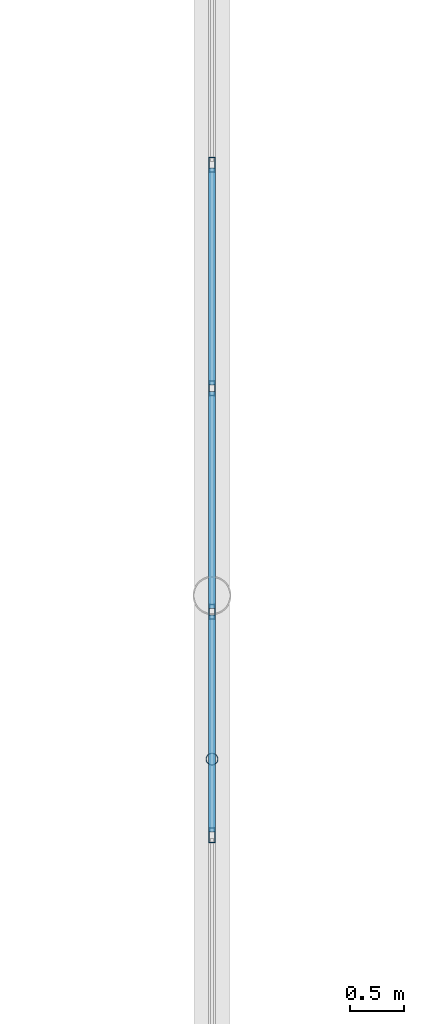
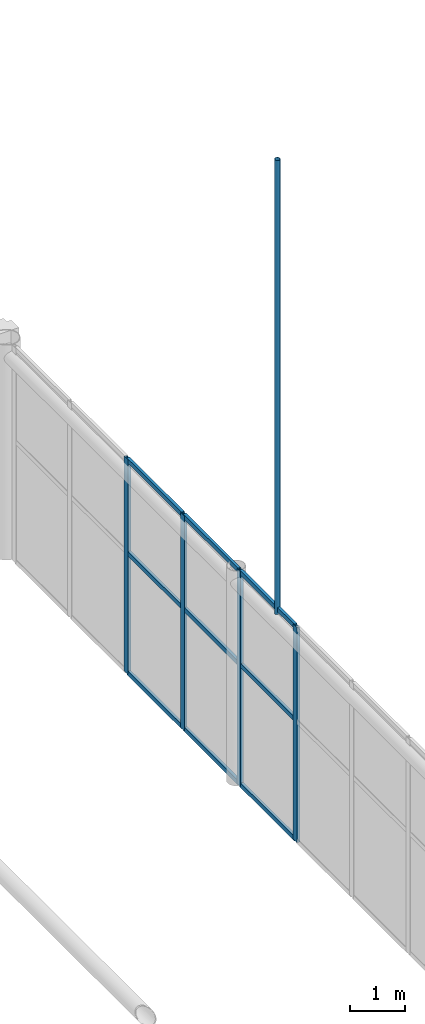
# One storey, part 115 of 167: 14 members, 1 element without a shape of its own.
"""IFC4 building model written with IfcOpenShell, lengths in metres."""

from ifc_helpers import new_model, si_unit, direction, frame, origin, origin_2d, place, context, subcontext, project, spatial, hollow_rectangle, hollow_circle, extrude, material, material_profile, profile_set, type_object, element, aggregate, save


model = new_model("IFC4")

# Units and contexts
model_context = context("Model", 3, precision=1e-05, world=origin(), true_north=direction((0.0, 1.0)))
body_context = subcontext(model_context, "Body", "Model", "MODEL_VIEW")
ifc_project = project(units=[si_unit("LENGTHUNIT", "METRE"), si_unit("AREAUNIT", "SQUARE_METRE"), si_unit("VOLUMEUNIT", "CUBIC_METRE"), si_unit("PLANEANGLEUNIT", "RADIAN"), si_unit("MASSUNIT", "GRAM", prefix="KILO")], contexts=[model_context])

# Site, building, storey
site_placement = place(None, origin())
site = spatial("IfcSite", under=ifc_project, at=site_placement, CompositionType="ELEMENT")
building_placement = place(site_placement, origin())
building = spatial("IfcBuilding", under=site, at=building_placement, Name="Catenary Quay Ferry Terminal", CompositionType="ELEMENT")
storey_placement = place(building_placement, frame((0.0, 0.0, 6.0)))
storey = spatial("IfcBuildingStorey", under=building, at=storey_placement, Name="L01", CompositionType="ELEMENT", Elevation=6.0)

# Member
ifc_material_1 = material(Name="Steel S355", Category="steel")
ifc_material_profile_1 = material_profile(ifc_material_1, hollow_circle(Radius=0.05712890625, WallThickness=0.00634765625, at=origin_2d()), Name="CHS 114.3x6.3")
ifc_profile_set_1 = profile_set([ifc_material_profile_1], Name="Steel S355")
member_type_1 = type_object("IfcMemberType", Name="HG1 CHS 114.3x6.3", PredefinedType="POST", material=ifc_profile_set_1)
member_1_placement = place(storey_placement, frame((92.39990234375, 132.889892578125, 4.654052734375), z_axis=(0.0, 0.0, 1.0), x_axis=(1.0, 0.0, 0.0)))
element("IfcMember", 1, at=member_1_placement, inside=storey, type_object=member_type_1, Name="Hanger VD-09-08", PredefinedType="POST", context=body_context, shape_type="SweptSolid", body=[
    extrude(hollow_circle(Radius=0.05712890625, WallThickness=0.00634765625, at=origin_2d()), origin(), (0.0, 0.0, 1.0), 10.137939453125),
])

# Curtain wall, members
ifc_material_2 = material(Name="Aluminium and glass", Category="aluminium")
curtain_wall_type = type_object("IfcCurtainWallType", Name="CWG", PredefinedType="NOTDEFINED", material=ifc_material_2)
curtain_wall_placement = place(storey_placement, origin())
curtain_wall = element("IfcCurtainWall", 2, at=curtain_wall_placement, inside=storey, type_object=curtain_wall_type, Name="Gable departure hall curtain wall CW20", PredefinedType="NOTDEFINED")
ifc_material_3 = material(Name="Aluminium", Category="aluminium")
ifc_material_profile_2 = material_profile(ifc_material_3, hollow_rectangle(XDim=0.06005859375, YDim=0.139892578125, WallThickness=0.006103515625, at=origin_2d()), Name="MU2")
ifc_profile_set_2 = profile_set([ifc_material_profile_2], Name="Aluminium")
member_type_2 = type_object("IfcMemberType", Name="MU2", PredefinedType="MULLION", material=ifc_profile_set_2)
member_2_placement = place(storey_placement, frame((92.39990234375, 132.1875, 0.0), z_axis=(0.0, 0.0, 1.0), x_axis=(-1.0, 0.0, 0.0)))
member_2 = element("IfcMember", 3, at=member_2_placement, type_object=member_type_2, Name="CW20 mullion 12", PredefinedType="MULLION", context=body_context, shape_type="SweptSolid", body=[
    extrude(hollow_rectangle(XDim=0.06005859375, YDim=0.139892578125, WallThickness=0.006103515625, at=origin_2d()), origin(), (0.0, 0.0, 1.0), 4.800048828125),
])
member_3_placement = place(storey_placement, frame((92.39990234375, 134.25, 0.0), z_axis=(0.0, 0.0, 1.0), x_axis=(-1.0, 0.0, 0.0)))
member_3 = element("IfcMember", 4, at=member_3_placement, type_object=member_type_2, Name="CW20 mullion 13", PredefinedType="MULLION", context=body_context, shape_type="SweptSolid", body=[
    extrude(hollow_rectangle(XDim=0.06005859375, YDim=0.139892578125, WallThickness=0.006103515625, at=origin_2d()), origin(), (0.0, 0.0, 1.0), 4.800048828125),
])
member_4_placement = place(storey_placement, frame((92.39990234375, 136.3125, 0.0), z_axis=(0.0, 0.0, 1.0), x_axis=(-1.0, 0.0, 0.0)))
member_4 = element("IfcMember", 5, at=member_4_placement, type_object=member_type_2, Name="CW20 mullion 14", PredefinedType="MULLION", context=body_context, shape_type="SweptSolid", body=[
    extrude(hollow_rectangle(XDim=0.06005859375, YDim=0.139892578125, WallThickness=0.006103515625, at=origin_2d()), origin(), (0.0, 0.0, 1.0), 4.800048828125),
])
member_5_placement = place(storey_placement, frame((92.39990234375, 138.375, 0.0), z_axis=(0.0, 0.0, 1.0), x_axis=(-1.0, 0.0, 0.0)))
member_5 = element("IfcMember", 6, at=member_5_placement, type_object=member_type_2, Name="CW20 mullion 15", PredefinedType="MULLION", context=body_context, shape_type="SweptSolid", body=[
    extrude(hollow_rectangle(XDim=0.06005859375, YDim=0.139892578125, WallThickness=0.006103515625, at=origin_2d()), origin(), (0.0, 0.0, 1.0), 4.800048828125),
])
ifc_material_4 = material(Name="Aluminium", Category="aluminium")
ifc_material_profile_3 = material_profile(ifc_material_4, hollow_rectangle(XDim=0.06005859375, YDim=0.10009765625, WallThickness=0.0048828125, at=origin_2d()), Name="TR2")
ifc_profile_set_3 = profile_set([ifc_material_profile_3], Name="Aluminium")
member_type_3 = type_object("IfcMemberType", Name="TR2", PredefinedType="USERDEFINED", material=ifc_profile_set_3)
member_6_placement = place(storey_placement, frame((92.39990234375, 132.217529296875, 0.030029296875), z_axis=(0.0, 1.0, 0.0), x_axis=(-1.0, 0.0, 0.0)))
member_6 = element("IfcMember", 7, at=member_6_placement, type_object=member_type_3, Name="CW20 transom 12.1", ObjectType="TRANSOM", PredefinedType="USERDEFINED", context=body_context, shape_type="SweptSolid", body=[
    extrude(hollow_rectangle(XDim=0.06005859375, YDim=0.10009765625, WallThickness=0.0048828125, at=origin_2d()), origin(), (0.0, 0.0, 1.0), 2.00244140625),
])
member_7_placement = place(storey_placement, frame((92.39990234375, 132.217529296875, 2.699951171875), z_axis=(0.0, 1.0, 0.0), x_axis=(-1.0, 0.0, 0.0)))
member_7 = element("IfcMember", 8, at=member_7_placement, type_object=member_type_3, Name="CW20 transom 12.2", ObjectType="TRANSOM", PredefinedType="USERDEFINED", context=body_context, shape_type="SweptSolid", body=[
    extrude(hollow_rectangle(XDim=0.06005859375, YDim=0.10009765625, WallThickness=0.0048828125, at=origin_2d()), origin(), (0.0, 0.0, 1.0), 2.00244140625),
])
member_8_placement = place(storey_placement, frame((92.39990234375, 132.217529296875, 4.77001953125), z_axis=(0.0, 1.0, 0.0), x_axis=(-1.0, 0.0, 0.0)))
member_8 = element("IfcMember", 9, at=member_8_placement, type_object=member_type_3, Name="CW20 transom 12.3", ObjectType="TRANSOM", PredefinedType="USERDEFINED", context=body_context, shape_type="SweptSolid", body=[
    extrude(hollow_rectangle(XDim=0.06005859375, YDim=0.10009765625, WallThickness=0.0048828125, at=origin_2d()), origin(), (0.0, 0.0, 1.0), 2.00244140625),
])
member_9_placement = place(storey_placement, frame((92.39990234375, 134.280029296875, 0.030029296875), z_axis=(0.0, 1.0, 0.0), x_axis=(-1.0, 0.0, 0.0)))
member_9 = element("IfcMember", 10, at=member_9_placement, type_object=member_type_3, Name="CW20 transom 13.1", ObjectType="TRANSOM", PredefinedType="USERDEFINED", context=body_context, shape_type="SweptSolid", body=[
    extrude(hollow_rectangle(XDim=0.06005859375, YDim=0.10009765625, WallThickness=0.0048828125, at=origin_2d()), origin(), (0.0, 0.0, 1.0), 2.00244140625),
])
member_10_placement = place(storey_placement, frame((92.39990234375, 134.280029296875, 2.699951171875), z_axis=(0.0, 1.0, 0.0), x_axis=(-1.0, 0.0, 0.0)))
member_10 = element("IfcMember", 11, at=member_10_placement, type_object=member_type_3, Name="CW20 transom 13.2", ObjectType="TRANSOM", PredefinedType="USERDEFINED", context=body_context, shape_type="SweptSolid", body=[
    extrude(hollow_rectangle(XDim=0.06005859375, YDim=0.10009765625, WallThickness=0.0048828125, at=origin_2d()), origin(), (0.0, 0.0, 1.0), 2.00244140625),
])
member_11_placement = place(storey_placement, frame((92.39990234375, 134.280029296875, 4.77001953125), z_axis=(0.0, 1.0, 0.0), x_axis=(-1.0, 0.0, 0.0)))
member_11 = element("IfcMember", 12, at=member_11_placement, type_object=member_type_3, Name="CW20 transom 13.3", ObjectType="TRANSOM", PredefinedType="USERDEFINED", context=body_context, shape_type="SweptSolid", body=[
    extrude(hollow_rectangle(XDim=0.06005859375, YDim=0.10009765625, WallThickness=0.0048828125, at=origin_2d()), origin(), (0.0, 0.0, 1.0), 2.00244140625),
])
member_12_placement = place(storey_placement, frame((92.39990234375, 136.342529296875, 0.030029296875), z_axis=(0.0, 1.0, 0.0), x_axis=(-1.0, 0.0, 0.0)))
member_12 = element("IfcMember", 13, at=member_12_placement, type_object=member_type_3, Name="CW20 transom 14.1", ObjectType="TRANSOM", PredefinedType="USERDEFINED", context=body_context, shape_type="SweptSolid", body=[
    extrude(hollow_rectangle(XDim=0.06005859375, YDim=0.10009765625, WallThickness=0.0048828125, at=origin_2d()), origin(), (0.0, 0.0, 1.0), 2.00244140625),
])
member_13_placement = place(storey_placement, frame((92.39990234375, 136.342529296875, 2.699951171875), z_axis=(0.0, 1.0, 0.0), x_axis=(-1.0, 0.0, 0.0)))
member_13 = element("IfcMember", 14, at=member_13_placement, type_object=member_type_3, Name="CW20 transom 14.2", ObjectType="TRANSOM", PredefinedType="USERDEFINED", context=body_context, shape_type="SweptSolid", body=[
    extrude(hollow_rectangle(XDim=0.06005859375, YDim=0.10009765625, WallThickness=0.0048828125, at=origin_2d()), origin(), (0.0, 0.0, 1.0), 2.00244140625),
])
member_14_placement = place(storey_placement, frame((92.39990234375, 136.342529296875, 4.77001953125), z_axis=(0.0, 1.0, 0.0), x_axis=(-1.0, 0.0, 0.0)))
member_14 = element("IfcMember", 15, at=member_14_placement, type_object=member_type_3, Name="CW20 transom 14.3", ObjectType="TRANSOM", PredefinedType="USERDEFINED", context=body_context, shape_type="SweptSolid", body=[
    extrude(hollow_rectangle(XDim=0.06005859375, YDim=0.10009765625, WallThickness=0.0048828125, at=origin_2d()), origin(), (0.0, 0.0, 1.0), 2.00244140625),
])
aggregate(curtain_wall, [member_2, member_3, member_4, member_5, member_6, member_7, member_8, member_9, member_10, member_11, member_12, member_13, member_14])

save(model, "model.ifc")
